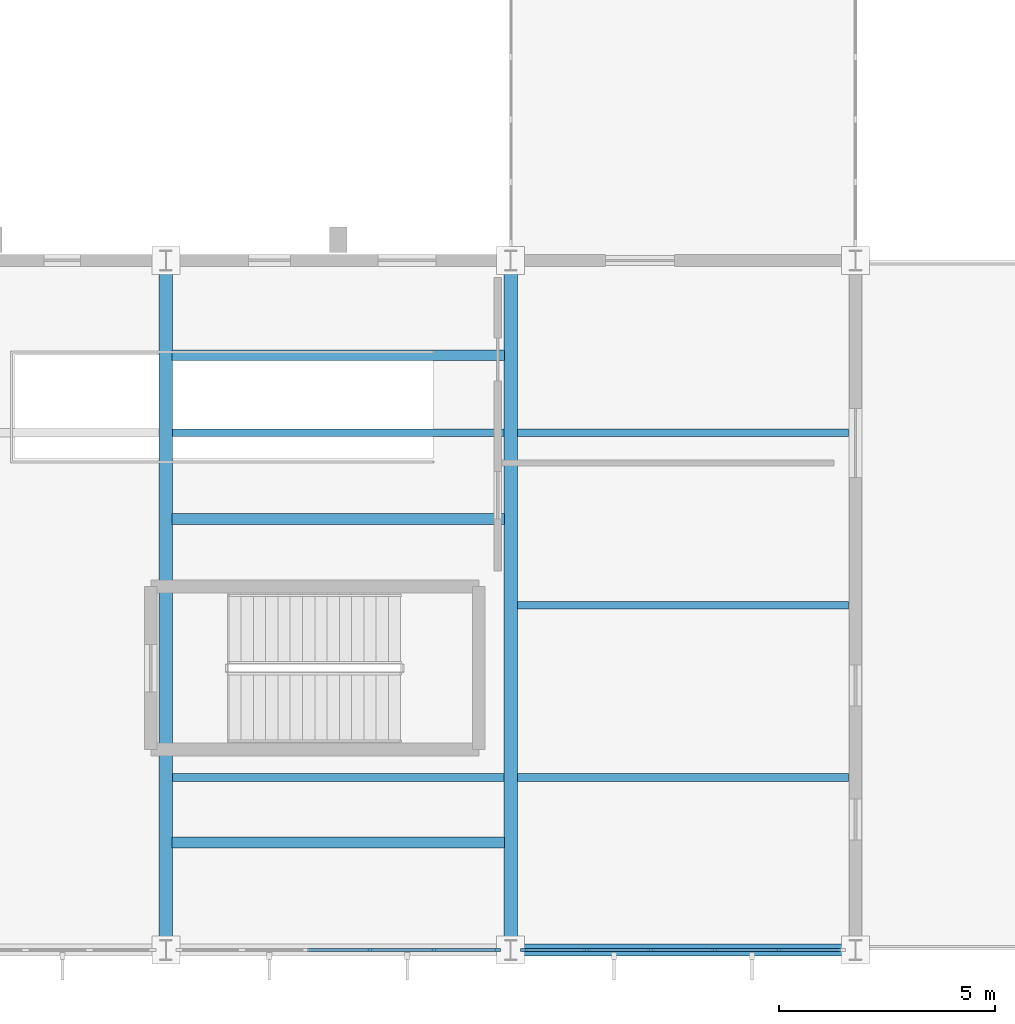
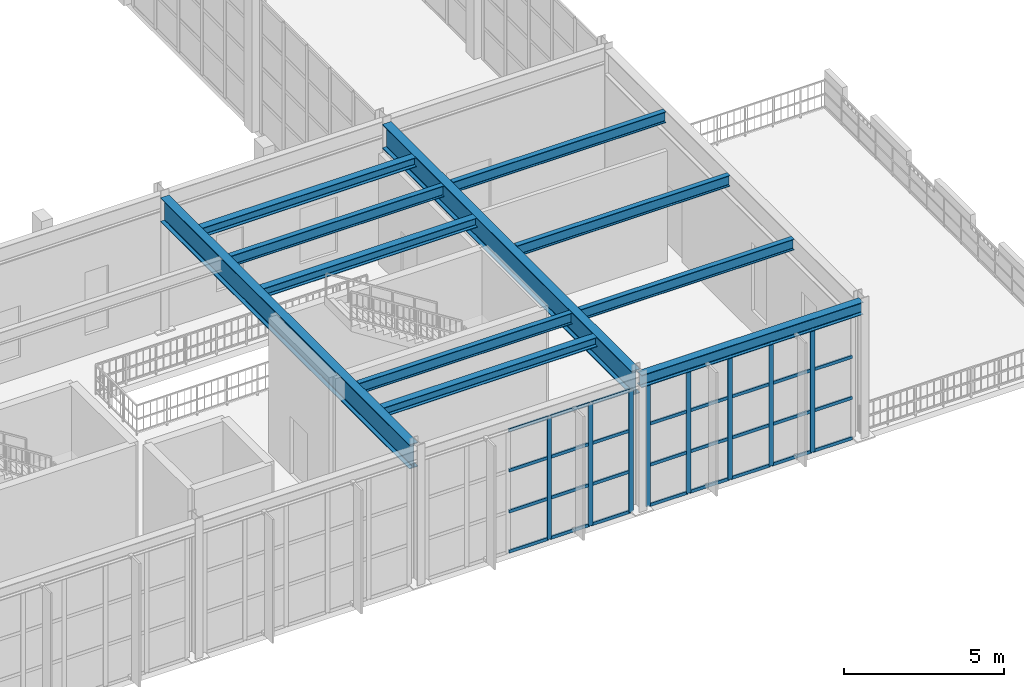
# One storey, part 20 of 82: 40 members, 11 beams, 2 elements without a shape of their own.
"""IFC4 building model written with IfcOpenShell, lengths in metres."""

from ifc_helpers import new_model, si_unit, direction, frame, origin, origin_2d, place, context, subcontext, project, spatial, rectangle, i_section, extrude, material, material_profile, profile_set, type_object, element, aggregate, save


model = new_model("IFC4")

# Units and contexts
model_context = context("Model", 3, precision=1e-05, world=origin(), true_north=direction((0.0, 1.0)))
body_context = subcontext(model_context, "Body", "Model", "MODEL_VIEW")
ifc_project = project(units=[si_unit("LENGTHUNIT", "METRE"), si_unit("AREAUNIT", "SQUARE_METRE"), si_unit("VOLUMEUNIT", "CUBIC_METRE"), si_unit("PLANEANGLEUNIT", "RADIAN"), si_unit("MASSUNIT", "GRAM", prefix="KILO")], contexts=[model_context])

# Site, building, storey
site_placement = place(None, origin())
site = spatial("IfcSite", under=ifc_project, at=site_placement, CompositionType="ELEMENT")
building_placement = place(site_placement, origin())
building = spatial("IfcBuilding", under=site, at=building_placement, Name="Serraluz Foothill Cableway Terminal", CompositionType="ELEMENT")
storey_placement = place(building_placement, frame((0.0, 0.0, 9.60009765625)))
storey = spatial("IfcBuildingStorey", under=building, at=storey_placement, Name="L02", CompositionType="ELEMENT", Elevation=9.60009765625)

# Beams
ifc_material_1 = material(Name="Steel ASTM A992 Grade 50", Category="steel")
ifc_material_profile_1 = material_profile(ifc_material_1, i_section(OverallWidth=0.30810546875, OverallDepth=0.927001953125, WebThickness=0.019287109375, FlangeThickness=0.031982421875, FilletRadius=0.02587890625, at=origin_2d()), Name="W36X194")
ifc_profile_set_1 = profile_set([ifc_material_profile_1], Name="Steel ASTM A992 Grade 50")
beam_type_1 = type_object("IfcBeamType", Name="TYP-BM-W36X194", PredefinedType="BEAM", material=ifc_profile_set_1)
for number, where, z_axis, x_axis, name in (
    (1, (112.0, 0.23193359375, 4.6865234375), (0.0, 1.0, 0.0), (-1.0, 0.0, 0.0), "Transverse Girder BM-Y-L02-0342"),
    (2, (120.0, 0.23193359375, 4.6865234375), (0.0, 1.0, 0.0), (-1.0, 0.0, 0.0), "Transverse Girder BM-Y-L02-0343"),
):
    element("IfcBeam", number, at=place(storey_placement, frame(where, z_axis=z_axis, x_axis=x_axis)), inside=storey, type_object=beam_type_1, Name=name, PredefinedType="BEAM", context=body_context, shape_type="SweptSolid", body=[
        extrude(i_section(OverallWidth=0.30810546875, OverallDepth=0.927001953125, WebThickness=0.019287109375, FlangeThickness=0.031982421875, FilletRadius=0.02587890625, at=origin_2d()), origin(), (0.0, 0.0, 1.0), 15.5361328125),
    ])

# Curtain wall, members
ifc_material_2 = material(Name="Architectural bronze alloy C28000", Category="aluminium")
curtain_wall_type_1 = type_object("IfcCurtainWallType", Name="TYP-CW-480X420", PredefinedType="NOTDEFINED", material=ifc_material_2)
curtain_wall_1_placement = place(storey_placement, origin())
curtain_wall_1 = element("IfcCurtainWall", 3, at=curtain_wall_1_placement, inside=storey, type_object=curtain_wall_type_1, Name="Ribbed Glazed Curtain Wall CW-V3S-L02-112", PredefinedType="NOTDEFINED")
ifc_material_profile_2 = material_profile(ifc_material_2, rectangle(XDim=0.06005859375, YDim=0.159912109375, at=origin_2d()), Name="ALU MULLION 60x160")
ifc_profile_set_2 = profile_set([ifc_material_profile_2], Name="Architectural bronze alloy C28000")
member_type_1 = type_object("IfcMemberType", Name="TYP-CW-MUL-60X160", PredefinedType="MULLION", material=ifc_profile_set_2)
member_1_placement = place(storey_placement, frame((119.6884765625, 0.0, 0.0), z_axis=(0.0, 0.0, 1.0), x_axis=(0.0, -1.0, 0.0)))
member_1 = element("IfcMember", 4, at=member_1_placement, type_object=member_type_1, Name="CW-15 mullion 1", PredefinedType="MULLION", context=body_context, shape_type="SweptSolid", body=[
    extrude(rectangle(XDim=0.06005859375, YDim=0.159912109375, at=origin_2d()), origin(), (0.0, 0.0, 1.0), 4.677978515625),
])
member_2_placement = place(storey_placement, frame((118.231201171875, 0.0, 0.0), z_axis=(0.0, 0.0, 1.0), x_axis=(0.0, -1.0, 0.0)))
member_2 = element("IfcMember", 5, at=member_2_placement, type_object=member_type_1, Name="CW-15 mullion 2", PredefinedType="MULLION", context=body_context, shape_type="SweptSolid", body=[
    extrude(rectangle(XDim=0.06005859375, YDim=0.159912109375, at=origin_2d()), origin(), (0.0, 0.0, 1.0), 4.677978515625),
])
member_3_placement = place(storey_placement, frame((116.74365234375, 0.0, 0.0), z_axis=(0.0, 0.0, 1.0), x_axis=(0.0, -1.0, 0.0)))
member_3 = element("IfcMember", 6, at=member_3_placement, type_object=member_type_1, Name="CW-15 mullion 3", PredefinedType="MULLION", context=body_context, shape_type="SweptSolid", body=[
    extrude(rectangle(XDim=0.06005859375, YDim=0.159912109375, at=origin_2d()), origin(), (0.0, 0.0, 1.0), 4.677978515625),
])

curtain_wall_type_2 = type_object("IfcCurtainWallType", Name="TYP-CW-440X360", PredefinedType="NOTDEFINED", material=ifc_material_2)
curtain_wall_2_placement = place(storey_placement, origin())
curtain_wall_2 = element("IfcCurtainWall", 7, at=curtain_wall_2_placement, inside=storey, type_object=curtain_wall_type_2, Name="Ribbed Glazed Curtain Wall CW-V3S-L02-120", PredefinedType="NOTDEFINED")
member_4_placement = place(storey_placement, frame((126.231201171875, 0.0, 0.0), z_axis=(0.0, 0.0, 1.0), x_axis=(0.0, -1.0, 0.0)))
member_4 = element("IfcMember", 8, at=member_4_placement, type_object=member_type_1, Name="CW-16 mullion 2", PredefinedType="MULLION", context=body_context, shape_type="SweptSolid", body=[
    extrude(rectangle(XDim=0.06005859375, YDim=0.159912109375, at=origin_2d()), origin(), (0.0, 0.0, 1.0), 4.69287109375),
])
member_5_placement = place(storey_placement, frame((124.74365234375, 0.0, 0.0), z_axis=(0.0, 0.0, 1.0), x_axis=(0.0, -1.0, 0.0)))
member_5 = element("IfcMember", 9, at=member_5_placement, type_object=member_type_1, Name="CW-16 mullion 3", PredefinedType="MULLION", context=body_context, shape_type="SweptSolid", body=[
    extrude(rectangle(XDim=0.06005859375, YDim=0.159912109375, at=origin_2d()), origin(), (0.0, 0.0, 1.0), 4.69287109375),
])
member_6_placement = place(storey_placement, frame((123.25634765625, 0.0, 0.0), z_axis=(0.0, 0.0, 1.0), x_axis=(0.0, -1.0, 0.0)))
member_6 = element("IfcMember", 10, at=member_6_placement, type_object=member_type_1, Name="CW-16 mullion 4", PredefinedType="MULLION", context=body_context, shape_type="SweptSolid", body=[
    extrude(rectangle(XDim=0.06005859375, YDim=0.159912109375, at=origin_2d()), origin(), (0.0, 0.0, 1.0), 4.69287109375),
])
member_7_placement = place(storey_placement, frame((121.768798828125, 0.0, 0.0), z_axis=(0.0, 0.0, 1.0), x_axis=(0.0, -1.0, 0.0)))
member_7 = element("IfcMember", 11, at=member_7_placement, type_object=member_type_1, Name="CW-16 mullion 5", PredefinedType="MULLION", context=body_context, shape_type="SweptSolid", body=[
    extrude(rectangle(XDim=0.06005859375, YDim=0.159912109375, at=origin_2d()), origin(), (0.0, 0.0, 1.0), 4.69287109375),
])
member_8_placement = place(storey_placement, frame((120.3115234375, 0.0, 0.0), z_axis=(0.0, 0.0, 1.0), x_axis=(0.0, -1.0, 0.0)))
member_8 = element("IfcMember", 12, at=member_8_placement, type_object=member_type_1, Name="CW-16 mullion 6", PredefinedType="MULLION", context=body_context, shape_type="SweptSolid", body=[
    extrude(rectangle(XDim=0.06005859375, YDim=0.159912109375, at=origin_2d()), origin(), (0.0, 0.0, 1.0), 4.69287109375),
])

# Member
ifc_material_profile_3 = material_profile(ifc_material_2, rectangle(XDim=0.06005859375, YDim=0.1201171875, at=origin_2d()), Name="ALU TRANSOM 60x120")
ifc_profile_set_3 = profile_set([ifc_material_profile_3], Name="Architectural bronze alloy C28000")
member_type_2 = type_object("IfcMemberType", Name="TYP-CW-TRN-60X120", PredefinedType="USERDEFINED", material=ifc_profile_set_3)
member_9_placement = place(storey_placement, frame((119.658447265625, 0.0, 0.02978515625), z_axis=(-1.0, 0.0, 0.0), x_axis=(0.0, -1.0, 0.0)))
member_9 = element("IfcMember", 13, at=member_9_placement, type_object=member_type_2, Name="CW-15 transom 1.1", ObjectType="TRANSOM", PredefinedType="USERDEFINED", context=body_context, shape_type="SweptSolid", body=[
    extrude(rectangle(XDim=0.06005859375, YDim=0.1201171875, at=origin_2d()), origin(), (0.0, 0.0, 1.0), 1.3974609375),
])

member_10_placement = place(storey_placement, frame((119.658447265625, 0.0, 1.55908203125), z_axis=(-1.0, 0.0, 0.0), x_axis=(0.0, -1.0, 0.0)))
member_10 = element("IfcMember", 14, at=member_10_placement, type_object=member_type_2, Name="CW-15 transom 1.2", ObjectType="TRANSOM", PredefinedType="USERDEFINED", context=body_context, shape_type="SweptSolid", body=[
    extrude(rectangle(XDim=0.06005859375, YDim=0.1201171875, at=origin_2d()), origin(), (0.0, 0.0, 1.0), 1.3974609375),
])

member_11_placement = place(storey_placement, frame((119.658447265625, 0.0, 3.11865234375), z_axis=(-1.0, 0.0, 0.0), x_axis=(0.0, -1.0, 0.0)))
member_11 = element("IfcMember", 15, at=member_11_placement, type_object=member_type_2, Name="CW-15 transom 1.3", ObjectType="TRANSOM", PredefinedType="USERDEFINED", context=body_context, shape_type="SweptSolid", body=[
    extrude(rectangle(XDim=0.06005859375, YDim=0.1201171875, at=origin_2d()), origin(), (0.0, 0.0, 1.0), 1.3974609375),
])

member_12_placement = place(storey_placement, frame((119.658447265625, 0.0, 4.64794921875), z_axis=(-1.0, 0.0, 0.0), x_axis=(0.0, -1.0, 0.0)))
member_12 = element("IfcMember", 16, at=member_12_placement, type_object=member_type_2, Name="CW-15 transom 1.4", ObjectType="TRANSOM", PredefinedType="USERDEFINED", context=body_context, shape_type="SweptSolid", body=[
    extrude(rectangle(XDim=0.06005859375, YDim=0.1201171875, at=origin_2d()), origin(), (0.0, 0.0, 1.0), 1.3974609375),
])

member_13_placement = place(storey_placement, frame((118.201171875, 0.0, 0.02978515625), z_axis=(-1.0, 0.0, 0.0), x_axis=(0.0, -1.0, 0.0)))
member_13 = element("IfcMember", 17, at=member_13_placement, type_object=member_type_2, Name="CW-15 transom 2.1", ObjectType="TRANSOM", PredefinedType="USERDEFINED", context=body_context, shape_type="SweptSolid", body=[
    extrude(rectangle(XDim=0.06005859375, YDim=0.1201171875, at=origin_2d()), origin(), (0.0, 0.0, 1.0), 1.427490234375),
])

member_14_placement = place(storey_placement, frame((118.201171875, 0.0, 1.55908203125), z_axis=(-1.0, 0.0, 0.0), x_axis=(0.0, -1.0, 0.0)))
member_14 = element("IfcMember", 18, at=member_14_placement, type_object=member_type_2, Name="CW-15 transom 2.2", ObjectType="TRANSOM", PredefinedType="USERDEFINED", context=body_context, shape_type="SweptSolid", body=[
    extrude(rectangle(XDim=0.06005859375, YDim=0.1201171875, at=origin_2d()), origin(), (0.0, 0.0, 1.0), 1.427490234375),
])

member_15_placement = place(storey_placement, frame((118.201171875, 0.0, 3.11865234375), z_axis=(-1.0, 0.0, 0.0), x_axis=(0.0, -1.0, 0.0)))
member_15 = element("IfcMember", 19, at=member_15_placement, type_object=member_type_2, Name="CW-15 transom 2.3", ObjectType="TRANSOM", PredefinedType="USERDEFINED", context=body_context, shape_type="SweptSolid", body=[
    extrude(rectangle(XDim=0.06005859375, YDim=0.1201171875, at=origin_2d()), origin(), (0.0, 0.0, 1.0), 1.427490234375),
])

member_16_placement = place(storey_placement, frame((118.201171875, 0.0, 4.64794921875), z_axis=(-1.0, 0.0, 0.0), x_axis=(0.0, -1.0, 0.0)))
member_16 = element("IfcMember", 20, at=member_16_placement, type_object=member_type_2, Name="CW-15 transom 2.4", ObjectType="TRANSOM", PredefinedType="USERDEFINED", context=body_context, shape_type="SweptSolid", body=[
    extrude(rectangle(XDim=0.06005859375, YDim=0.1201171875, at=origin_2d()), origin(), (0.0, 0.0, 1.0), 1.427490234375),
])

member_17_placement = place(storey_placement, frame((116.713623046875, 0.0, 0.02978515625), z_axis=(-1.0, 0.0, 0.0), x_axis=(0.0, -1.0, 0.0)))
member_17 = element("IfcMember", 21, at=member_17_placement, type_object=member_type_2, Name="CW-15 transom 3.1", ObjectType="TRANSOM", PredefinedType="USERDEFINED", context=body_context, shape_type="SweptSolid", body=[
    extrude(rectangle(XDim=0.06005859375, YDim=0.1201171875, at=origin_2d()), origin(), (0.0, 0.0, 1.0), 1.42724609375),
])

member_18_placement = place(storey_placement, frame((116.713623046875, 0.0, 1.55908203125), z_axis=(-1.0, 0.0, 0.0), x_axis=(0.0, -1.0, 0.0)))
member_18 = element("IfcMember", 22, at=member_18_placement, type_object=member_type_2, Name="CW-15 transom 3.2", ObjectType="TRANSOM", PredefinedType="USERDEFINED", context=body_context, shape_type="SweptSolid", body=[
    extrude(rectangle(XDim=0.06005859375, YDim=0.1201171875, at=origin_2d()), origin(), (0.0, 0.0, 1.0), 1.42724609375),
])

member_19_placement = place(storey_placement, frame((116.713623046875, 0.0, 3.11865234375), z_axis=(-1.0, 0.0, 0.0), x_axis=(0.0, -1.0, 0.0)))
member_19 = element("IfcMember", 23, at=member_19_placement, type_object=member_type_2, Name="CW-15 transom 3.3", ObjectType="TRANSOM", PredefinedType="USERDEFINED", context=body_context, shape_type="SweptSolid", body=[
    extrude(rectangle(XDim=0.06005859375, YDim=0.1201171875, at=origin_2d()), origin(), (0.0, 0.0, 1.0), 1.42724609375),
])

member_20_placement = place(storey_placement, frame((116.713623046875, 0.0, 4.64794921875), z_axis=(-1.0, 0.0, 0.0), x_axis=(0.0, -1.0, 0.0)))
member_20 = element("IfcMember", 24, at=member_20_placement, type_object=member_type_2, Name="CW-15 transom 3.4", ObjectType="TRANSOM", PredefinedType="USERDEFINED", context=body_context, shape_type="SweptSolid", body=[
    extrude(rectangle(XDim=0.06005859375, YDim=0.1201171875, at=origin_2d()), origin(), (0.0, 0.0, 1.0), 1.42724609375),
])

aggregate(curtain_wall_1, [member_1, member_2, member_3, member_9, member_10, member_11, member_12, member_13, member_14, member_15, member_16, member_17, member_18, member_19, member_20])

member_21_placement = place(storey_placement, frame((127.658447265625, 0.0, 0.02978515625), z_axis=(-1.0, 0.0, 0.0), x_axis=(0.0, -1.0, 0.0)))
member_21 = element("IfcMember", 25, at=member_21_placement, type_object=member_type_2, Name="CW-16 transom 1.1", ObjectType="TRANSOM", PredefinedType="USERDEFINED", context=body_context, shape_type="SweptSolid", body=[
    extrude(rectangle(XDim=0.06005859375, YDim=0.1201171875, at=origin_2d()), origin(), (0.0, 0.0, 1.0), 1.3974609375),
])

member_22_placement = place(storey_placement, frame((127.658447265625, 0.0, 1.564208984375), z_axis=(-1.0, 0.0, 0.0), x_axis=(0.0, -1.0, 0.0)))
member_22 = element("IfcMember", 26, at=member_22_placement, type_object=member_type_2, Name="CW-16 transom 1.2", ObjectType="TRANSOM", PredefinedType="USERDEFINED", context=body_context, shape_type="SweptSolid", body=[
    extrude(rectangle(XDim=0.06005859375, YDim=0.1201171875, at=origin_2d()), origin(), (0.0, 0.0, 1.0), 1.3974609375),
])

member_23_placement = place(storey_placement, frame((127.658447265625, 0.0, 3.128662109375), z_axis=(-1.0, 0.0, 0.0), x_axis=(0.0, -1.0, 0.0)))
member_23 = element("IfcMember", 27, at=member_23_placement, type_object=member_type_2, Name="CW-16 transom 1.3", ObjectType="TRANSOM", PredefinedType="USERDEFINED", context=body_context, shape_type="SweptSolid", body=[
    extrude(rectangle(XDim=0.06005859375, YDim=0.1201171875, at=origin_2d()), origin(), (0.0, 0.0, 1.0), 1.3974609375),
])

member_24_placement = place(storey_placement, frame((127.658447265625, 0.0, 4.662841796875), z_axis=(-1.0, 0.0, 0.0), x_axis=(0.0, -1.0, 0.0)))
member_24 = element("IfcMember", 28, at=member_24_placement, type_object=member_type_2, Name="CW-16 transom 1.4", ObjectType="TRANSOM", PredefinedType="USERDEFINED", context=body_context, shape_type="SweptSolid", body=[
    extrude(rectangle(XDim=0.06005859375, YDim=0.1201171875, at=origin_2d()), origin(), (0.0, 0.0, 1.0), 1.3974609375),
])

member_25_placement = place(storey_placement, frame((126.201171875, 0.0, 0.02978515625), z_axis=(-1.0, 0.0, 0.0), x_axis=(0.0, -1.0, 0.0)))
member_25 = element("IfcMember", 29, at=member_25_placement, type_object=member_type_2, Name="CW-16 transom 2.1", ObjectType="TRANSOM", PredefinedType="USERDEFINED", context=body_context, shape_type="SweptSolid", body=[
    extrude(rectangle(XDim=0.06005859375, YDim=0.1201171875, at=origin_2d()), origin(), (0.0, 0.0, 1.0), 1.427490234375),
])

member_26_placement = place(storey_placement, frame((126.201171875, 0.0, 1.564208984375), z_axis=(-1.0, 0.0, 0.0), x_axis=(0.0, -1.0, 0.0)))
member_26 = element("IfcMember", 30, at=member_26_placement, type_object=member_type_2, Name="CW-16 transom 2.2", ObjectType="TRANSOM", PredefinedType="USERDEFINED", context=body_context, shape_type="SweptSolid", body=[
    extrude(rectangle(XDim=0.06005859375, YDim=0.1201171875, at=origin_2d()), origin(), (0.0, 0.0, 1.0), 1.427490234375),
])

member_27_placement = place(storey_placement, frame((126.201171875, 0.0, 3.128662109375), z_axis=(-1.0, 0.0, 0.0), x_axis=(0.0, -1.0, 0.0)))
member_27 = element("IfcMember", 31, at=member_27_placement, type_object=member_type_2, Name="CW-16 transom 2.3", ObjectType="TRANSOM", PredefinedType="USERDEFINED", context=body_context, shape_type="SweptSolid", body=[
    extrude(rectangle(XDim=0.06005859375, YDim=0.1201171875, at=origin_2d()), origin(), (0.0, 0.0, 1.0), 1.427490234375),
])

member_28_placement = place(storey_placement, frame((126.201171875, 0.0, 4.662841796875), z_axis=(-1.0, 0.0, 0.0), x_axis=(0.0, -1.0, 0.0)))
member_28 = element("IfcMember", 32, at=member_28_placement, type_object=member_type_2, Name="CW-16 transom 2.4", ObjectType="TRANSOM", PredefinedType="USERDEFINED", context=body_context, shape_type="SweptSolid", body=[
    extrude(rectangle(XDim=0.06005859375, YDim=0.1201171875, at=origin_2d()), origin(), (0.0, 0.0, 1.0), 1.427490234375),
])

member_29_placement = place(storey_placement, frame((124.713623046875, 0.0, 0.02978515625), z_axis=(-1.0, 0.0, 0.0), x_axis=(0.0, -1.0, 0.0)))
member_29 = element("IfcMember", 33, at=member_29_placement, type_object=member_type_2, Name="CW-16 transom 3.1", ObjectType="TRANSOM", PredefinedType="USERDEFINED", context=body_context, shape_type="SweptSolid", body=[
    extrude(rectangle(XDim=0.06005859375, YDim=0.1201171875, at=origin_2d()), origin(), (0.0, 0.0, 1.0), 1.42724609375),
])

member_30_placement = place(storey_placement, frame((124.713623046875, 0.0, 1.564208984375), z_axis=(-1.0, 0.0, 0.0), x_axis=(0.0, -1.0, 0.0)))
member_30 = element("IfcMember", 34, at=member_30_placement, type_object=member_type_2, Name="CW-16 transom 3.2", ObjectType="TRANSOM", PredefinedType="USERDEFINED", context=body_context, shape_type="SweptSolid", body=[
    extrude(rectangle(XDim=0.06005859375, YDim=0.1201171875, at=origin_2d()), origin(), (0.0, 0.0, 1.0), 1.42724609375),
])

member_31_placement = place(storey_placement, frame((124.713623046875, 0.0, 3.128662109375), z_axis=(-1.0, 0.0, 0.0), x_axis=(0.0, -1.0, 0.0)))
member_31 = element("IfcMember", 35, at=member_31_placement, type_object=member_type_2, Name="CW-16 transom 3.3", ObjectType="TRANSOM", PredefinedType="USERDEFINED", context=body_context, shape_type="SweptSolid", body=[
    extrude(rectangle(XDim=0.06005859375, YDim=0.1201171875, at=origin_2d()), origin(), (0.0, 0.0, 1.0), 1.42724609375),
])

member_32_placement = place(storey_placement, frame((124.713623046875, 0.0, 4.662841796875), z_axis=(-1.0, 0.0, 0.0), x_axis=(0.0, -1.0, 0.0)))
member_32 = element("IfcMember", 36, at=member_32_placement, type_object=member_type_2, Name="CW-16 transom 3.4", ObjectType="TRANSOM", PredefinedType="USERDEFINED", context=body_context, shape_type="SweptSolid", body=[
    extrude(rectangle(XDim=0.06005859375, YDim=0.1201171875, at=origin_2d()), origin(), (0.0, 0.0, 1.0), 1.42724609375),
])

member_33_placement = place(storey_placement, frame((123.226318359375, 0.0, 0.02978515625), z_axis=(-1.0, 0.0, 0.0), x_axis=(0.0, -1.0, 0.0)))
member_33 = element("IfcMember", 37, at=member_33_placement, type_object=member_type_2, Name="CW-16 transom 4.1", ObjectType="TRANSOM", PredefinedType="USERDEFINED", context=body_context, shape_type="SweptSolid", body=[
    extrude(rectangle(XDim=0.06005859375, YDim=0.1201171875, at=origin_2d()), origin(), (0.0, 0.0, 1.0), 1.427490234375),
])

member_34_placement = place(storey_placement, frame((123.226318359375, 0.0, 1.564208984375), z_axis=(-1.0, 0.0, 0.0), x_axis=(0.0, -1.0, 0.0)))
member_34 = element("IfcMember", 38, at=member_34_placement, type_object=member_type_2, Name="CW-16 transom 4.2", ObjectType="TRANSOM", PredefinedType="USERDEFINED", context=body_context, shape_type="SweptSolid", body=[
    extrude(rectangle(XDim=0.06005859375, YDim=0.1201171875, at=origin_2d()), origin(), (0.0, 0.0, 1.0), 1.427490234375),
])

member_35_placement = place(storey_placement, frame((123.226318359375, 0.0, 3.128662109375), z_axis=(-1.0, 0.0, 0.0), x_axis=(0.0, -1.0, 0.0)))
member_35 = element("IfcMember", 39, at=member_35_placement, type_object=member_type_2, Name="CW-16 transom 4.3", ObjectType="TRANSOM", PredefinedType="USERDEFINED", context=body_context, shape_type="SweptSolid", body=[
    extrude(rectangle(XDim=0.06005859375, YDim=0.1201171875, at=origin_2d()), origin(), (0.0, 0.0, 1.0), 1.427490234375),
])

member_36_placement = place(storey_placement, frame((123.226318359375, 0.0, 4.662841796875), z_axis=(-1.0, 0.0, 0.0), x_axis=(0.0, -1.0, 0.0)))
member_36 = element("IfcMember", 40, at=member_36_placement, type_object=member_type_2, Name="CW-16 transom 4.4", ObjectType="TRANSOM", PredefinedType="USERDEFINED", context=body_context, shape_type="SweptSolid", body=[
    extrude(rectangle(XDim=0.06005859375, YDim=0.1201171875, at=origin_2d()), origin(), (0.0, 0.0, 1.0), 1.427490234375),
])

member_37_placement = place(storey_placement, frame((121.739013671875, 0.0, 0.02978515625), z_axis=(-1.0, 0.0, 0.0), x_axis=(0.0, -1.0, 0.0)))
member_37 = element("IfcMember", 41, at=member_37_placement, type_object=member_type_2, Name="CW-16 transom 5.1", ObjectType="TRANSOM", PredefinedType="USERDEFINED", context=body_context, shape_type="SweptSolid", body=[
    extrude(rectangle(XDim=0.06005859375, YDim=0.1201171875, at=origin_2d()), origin(), (0.0, 0.0, 1.0), 1.3974609375),
])

member_38_placement = place(storey_placement, frame((121.739013671875, 0.0, 1.564208984375), z_axis=(-1.0, 0.0, 0.0), x_axis=(0.0, -1.0, 0.0)))
member_38 = element("IfcMember", 42, at=member_38_placement, type_object=member_type_2, Name="CW-16 transom 5.2", ObjectType="TRANSOM", PredefinedType="USERDEFINED", context=body_context, shape_type="SweptSolid", body=[
    extrude(rectangle(XDim=0.06005859375, YDim=0.1201171875, at=origin_2d()), origin(), (0.0, 0.0, 1.0), 1.3974609375),
])

member_39_placement = place(storey_placement, frame((121.739013671875, 0.0, 3.128662109375), z_axis=(-1.0, 0.0, 0.0), x_axis=(0.0, -1.0, 0.0)))
member_39 = element("IfcMember", 43, at=member_39_placement, type_object=member_type_2, Name="CW-16 transom 5.3", ObjectType="TRANSOM", PredefinedType="USERDEFINED", context=body_context, shape_type="SweptSolid", body=[
    extrude(rectangle(XDim=0.06005859375, YDim=0.1201171875, at=origin_2d()), origin(), (0.0, 0.0, 1.0), 1.3974609375),
])

member_40_placement = place(storey_placement, frame((121.739013671875, 0.0, 4.662841796875), z_axis=(-1.0, 0.0, 0.0), x_axis=(0.0, -1.0, 0.0)))
member_40 = element("IfcMember", 44, at=member_40_placement, type_object=member_type_2, Name="CW-16 transom 5.4", ObjectType="TRANSOM", PredefinedType="USERDEFINED", context=body_context, shape_type="SweptSolid", body=[
    extrude(rectangle(XDim=0.06005859375, YDim=0.1201171875, at=origin_2d()), origin(), (0.0, 0.0, 1.0), 1.3974609375),
])

aggregate(curtain_wall_2, [member_4, member_5, member_6, member_7, member_8, member_21, member_22, member_23, member_24, member_25, member_26, member_27, member_28, member_29, member_30, member_31, member_32, member_33, member_34, member_35, member_36, member_37, member_38, member_39, member_40])

# Beams
ifc_material_profile_4 = material_profile(ifc_material_1, i_section(OverallWidth=0.25390625, OverallDepth=0.35595703125, WebThickness=0.010498046875, FlangeThickness=0.018310546875, FilletRadius=0.014892578125, at=origin_2d()), Name="W14X68")
ifc_profile_set_4 = profile_set([ifc_material_profile_4], Name="Steel ASTM A992 Grade 50")
beam_type_2 = type_object("IfcBeamType", Name="TYP-JS-W14X68", PredefinedType="JOIST", material=ifc_profile_set_4)
for number, where, z_axis, x_axis, name in (
    (45, (112.139892578125, 2.5, 4.971923828125), (1.0, 0.0, 0.0), (0.0, 1.0, 0.0), "Belvedere Deck Joist L02-085"),
    (46, (112.139892578125, 10.0, 4.971923828125), (1.0, 0.0, 0.0), (0.0, 1.0, 0.0), "Belvedere Deck Joist L02-086"),
    (47, (112.139892578125, 13.800048828125, 4.971923828125), (1.0, 0.0, 0.0), (0.0, 1.0, 0.0), "Belvedere Deck Joist L02-087"),
):
    element("IfcBeam", number, at=place(storey_placement, frame(where, z_axis=z_axis, x_axis=x_axis)), inside=storey, type_object=beam_type_2, Name=name, PredefinedType="JOIST", context=body_context, shape_type="SweptSolid", body=[
        extrude(i_section(OverallWidth=0.25390625, OverallDepth=0.35595703125, WebThickness=0.010498046875, FlangeThickness=0.018310546875, FilletRadius=0.014892578125, at=origin_2d()), origin(), (0.0, 0.0, 1.0), 7.72021484375),
    ])
ifc_material_profile_5 = material_profile(ifc_material_1, i_section(OverallWidth=0.180908203125, OverallDepth=0.4169921875, WebThickness=0.010986328125, FlangeThickness=0.018310546875, FilletRadius=0.013916015625, at=origin_2d()), Name="W16X57")
ifc_profile_set_5 = profile_set([ifc_material_profile_5], Name="Steel ASTM A992 Grade 50")
beam_type_3 = type_object("IfcBeamType", Name="TYP-JS-W16X57", PredefinedType="JOIST", material=ifc_profile_set_5)
for number, where, z_axis, x_axis, name in (
    (48, (112.158935546875, 4.0, 4.94140625), (1.0, 0.0, 0.0), (0.0, 1.0, 0.0), "Secondary Floor Joist JS-L02-0132"),
    (49, (112.158935546875, 12.0, 4.94140625), (1.0, 0.0, 0.0), (0.0, 1.0, 0.0), "Secondary Floor Joist JS-L02-0133"),
    (50, (120.158935546875, 4.0, 4.956298828125), (1.0, 0.0, 0.0), (0.0, 1.0, 0.0), "Secondary Floor Joist JS-L02-0134"),
    (51, (120.158935546875, 8.0, 4.956298828125), (1.0, 0.0, 0.0), (0.0, 1.0, 0.0), "Secondary Floor Joist JS-L02-0135"),
    (52, (120.158935546875, 12.0, 4.956298828125), (1.0, 0.0, 0.0), (0.0, 1.0, 0.0), "Secondary Floor Joist JS-L02-0136"),
):
    element("IfcBeam", number, at=place(storey_placement, frame(where, z_axis=z_axis, x_axis=x_axis)), inside=storey, type_object=beam_type_3, Name=name, PredefinedType="JOIST", context=body_context, shape_type="SweptSolid", body=[
        extrude(i_section(OverallWidth=0.180908203125, OverallDepth=0.4169921875, WebThickness=0.010986328125, FlangeThickness=0.018310546875, FilletRadius=0.013916015625, at=origin_2d()), origin(), (0.0, 0.0, 1.0), 7.68212890625),
    ])
ifc_material_profile_6 = material_profile(ifc_material_1, i_section(OverallWidth=0.282958984375, OverallDepth=0.471923828125, WebThickness=0.013671875, FlangeThickness=0.022216796875, FilletRadius=0.014892578125, at=origin_2d()), Name="W18X97")
ifc_profile_set_6 = profile_set([ifc_material_profile_6], Name="Steel ASTM A992 Grade 50")
beam_type_4 = type_object("IfcBeamType", Name="TYP-SP-W18X97", PredefinedType="SPANDREL", material=ifc_profile_set_6)
beam_placement = place(storey_placement, frame((120.0048828125, 0.0, 4.928955078125), z_axis=(1.0, 0.0, 0.0), x_axis=(0.0, 1.0, 0.0)))
element("IfcBeam", 53, at=beam_placement, inside=storey, type_object=beam_type_4, Name="Primary Girder BM-X-L02-0299", PredefinedType="SPANDREL", context=body_context, shape_type="SweptSolid", body=[
    extrude(i_section(OverallWidth=0.282958984375, OverallDepth=0.471923828125, WebThickness=0.013671875, FlangeThickness=0.022216796875, FilletRadius=0.014892578125, at=origin_2d()), origin(), (0.0, 0.0, 1.0), 7.990234375),
])

save(model, "model.ifc")
